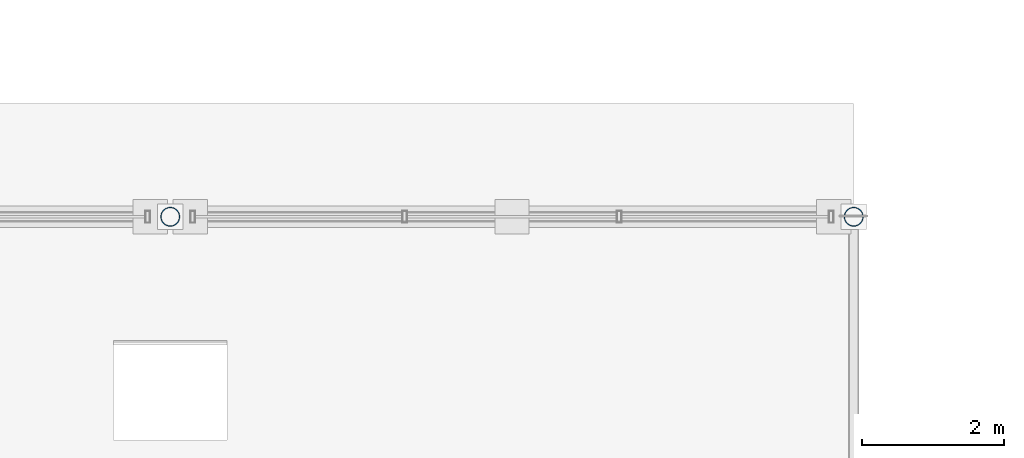
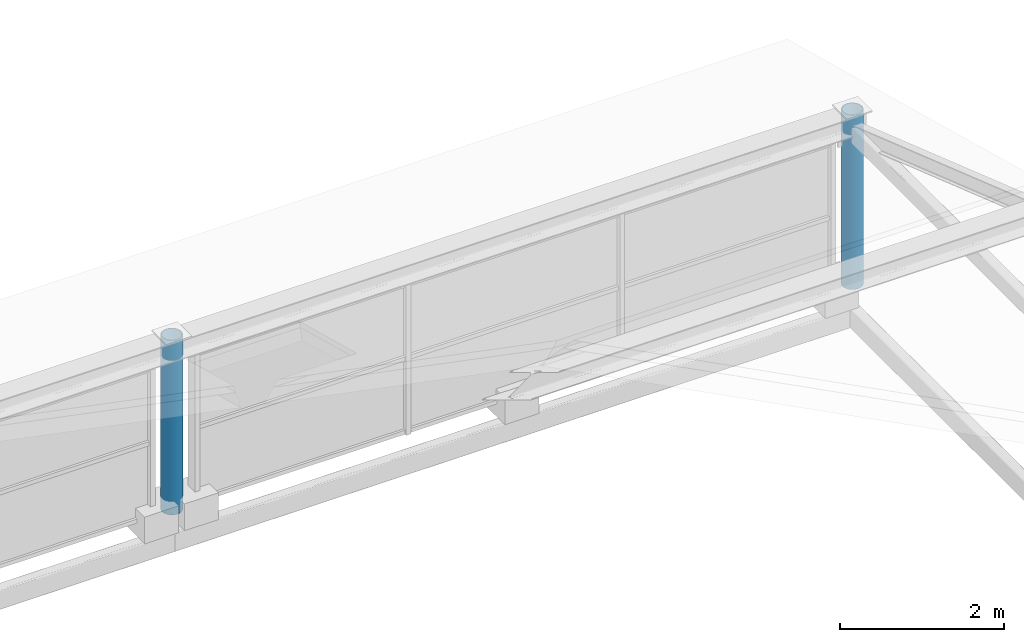
# One storey, part 13 of 117: 2 columns.
"""IFC4 building model written with IfcOpenShell, lengths in metres."""

from ifc_helpers import new_model, si_unit, direction, frame, origin, origin_2d, place, context, subcontext, project, spatial, hollow_circle, extrude, material, material_profile, profile_set, type_object, element, save


model = new_model("IFC4")

# Units and contexts
model_context = context("Model", 3, precision=1e-05, world=origin(), true_north=direction((0.0, 1.0)))
body_context = subcontext(model_context, "Body", "Model", "MODEL_VIEW")
ifc_project = project(units=[si_unit("LENGTHUNIT", "METRE"), si_unit("AREAUNIT", "SQUARE_METRE"), si_unit("VOLUMEUNIT", "CUBIC_METRE"), si_unit("PLANEANGLEUNIT", "RADIAN"), si_unit("MASSUNIT", "GRAM", prefix="KILO")], contexts=[model_context])

# Site, building, storey
site_placement = place(None, origin())
site = spatial("IfcSite", under=ifc_project, at=site_placement, CompositionType="ELEMENT")
building_placement = place(site_placement, origin())
building = spatial("IfcBuilding", under=site, at=building_placement, Name="Merenkruunu Market Hall", CompositionType="ELEMENT")
storey_placement = place(building_placement, frame((0.0, 0.0, 10.199951171875)))
storey = spatial("IfcBuildingStorey", under=building, at=storey_placement, Name="L02", CompositionType="ELEMENT", Elevation=10.199951171875)

# Columns
ifc_material = material(Name="Steel S355ML", Category="steel")
ifc_material_profile = material_profile(ifc_material, hollow_circle(Radius=0.136474609375, WallThickness=0.012451171875, at=origin_2d()), Name="CHS 273x12.5")
ifc_profile_set = profile_set([ifc_material_profile], Name="Steel S355ML")
column_type = type_object("IfcColumnType", Name="Structural Column C14", PredefinedType="COLUMN", material=ifc_profile_set)
for number, where, z_axis, x_axis, name in (
    (1, (67.199951171875, 99.60009765625, 0.0), (0.0, 0.0, 1.0), (1.0, 0.0, 0.0), "COL-L02-H-11"),
    (2, (76.800048828125, 99.60009765625, 0.0), (0.0, 0.0, 1.0), (1.0, 0.0, 0.0), "COL-L02-J-11"),
):
    element("IfcColumn", number, at=place(storey_placement, frame(where, z_axis=z_axis, x_axis=x_axis)), inside=storey, type_object=column_type, Name=name, PredefinedType="COLUMN", context=body_context, shape_type="SweptSolid", body=[
        extrude(hollow_circle(Radius=0.136474609375, WallThickness=0.012451171875, at=origin_2d()), origin(), (0.0, 0.0, 1.0), 2.60009765625),
    ])

save(model, "model.ifc")
